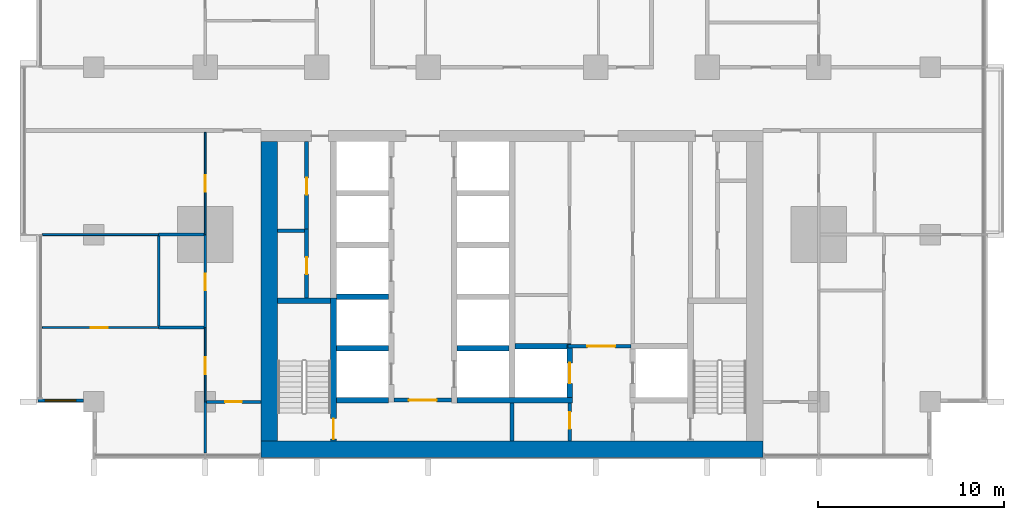
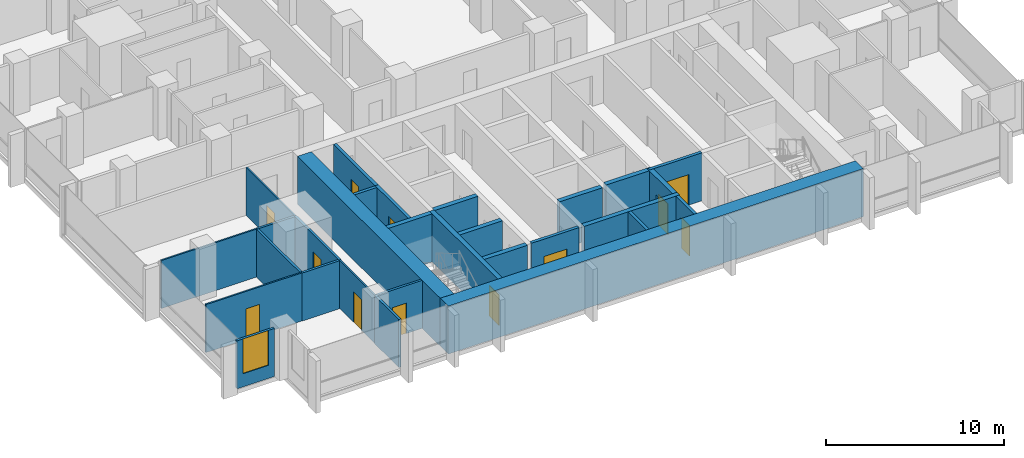
# One storey, part 7 of 18: 29 walls, 12 doors, 1 window, 13 openings.
"""IFC4 building model written with IfcOpenShell, lengths in metres."""

import ifcopenshell
import ifcopenshell.guid

model = None  # the IFC model being written
_history = None  # IfcOwnerHistory: only IFC2X3 demands one
_inside = {}  # id of a spatial element -> (the spatial element, [elements in it])
_under = {}  # id of a project, library or spatial element -> (it, [spatial elements below it])
_declared = {}  # id of a project -> (the project, [libraries it declares])
_typed = {}  # id of a type object -> (the type object, [elements of that type])
_made_of = {}  # id of a material, layer set ... -> (it, [elements and type objects made of it])


def new_model(schema):
    """Start an empty IFC model of exactly this schema.

    Asked for "IFC4X3", IfcOpenShell would pick the latest addendum, in which some entities
    have other attributes; the version numbers below select the first issue.
    IFC2X3 requires an IfcOwnerHistory on every rooted entity: one is made here for all.
    """
    global model, _history
    if schema == "IFC4X3":
        model = ifcopenshell.file(schema_version=(4, 3, 0, 0))
    else:
        model = ifcopenshell.file(schema=schema)
    _inside.clear()
    _under.clear()
    _declared.clear()
    _typed.clear()
    _made_of.clear()
    _history = None
    if model.schema == "IFC2X3":
        org = make("IfcOrganization", Name="unknown")
        user = make(
            "IfcPersonAndOrganization",
            ThePerson=make("IfcPerson", FamilyName="unknown"),
            TheOrganization=org,
        )
        app = make(
            "IfcApplication",
            ApplicationDeveloper=org,
            Version="unknown",
            ApplicationFullName="unknown",
            ApplicationIdentifier="unknown",
        )
        _history = make(
            "IfcOwnerHistory",
            OwningUser=user,
            OwningApplication=app,
            ChangeAction="ADDED",
            CreationDate=0,
        )
    return model


def make(cls, **values):
    """One entity of the class cls with the attributes given. An attribute that is None is left unset."""
    return model.create_entity(
        cls, **{name: value for name, value in values.items() if value is not None}
    )


def rooted(cls, **values):
    """An entity with a GlobalId (a new one), such as an element, a storey or a relation."""
    return make(cls, GlobalId=ifcopenshell.guid.new(), OwnerHistory=_history, **values)


def si_unit(unit_type, name, prefix=None):
    """IfcSIUnit, for example si_unit("LENGTHUNIT", "METRE", prefix="MILLI")."""
    return make("IfcSIUnit", UnitType=unit_type, Prefix=prefix, Name=name)


def assignment(units):
    """IfcUnitAssignment: the units of a project."""
    return None if units is None else make("IfcUnitAssignment", Units=units)


def point(xyz):
    """IfcCartesianPoint."""
    return None if xyz is None else make("IfcCartesianPoint", Coordinates=xyz)


def direction(xyz):
    """IfcDirection."""
    return None if xyz is None else make("IfcDirection", DirectionRatios=xyz)


def frame(location, z_axis=None, x_axis=None):
    """IfcAxis2Placement3D, a coordinate frame: its origin and axes. An axis left out is left unset."""
    return make(
        "IfcAxis2Placement3D",
        Location=point(location),
        Axis=direction(z_axis),
        RefDirection=direction(x_axis),
    )


def frame_2d(location, x_axis=None):
    """IfcAxis2Placement2D, a coordinate frame in the plane: its origin and x axis."""
    return make(
        "IfcAxis2Placement2D", Location=point(location), RefDirection=direction(x_axis)
    )


def origin():
    """The frame at (0, 0, 0) with its axes left unset."""
    return frame((0.0, 0.0, 0.0))


def place(relative_to, where):
    """IfcLocalPlacement: puts the frame where relative to a parent placement (None: the world)."""
    return make(
        "IfcLocalPlacement", PlacementRelTo=relative_to, RelativePlacement=where
    )


def context(
    kind, dimensions, precision=None, world=None, true_north=None, identifier=None
):
    """IfcGeometricRepresentationContext, for example the 3D "Model" context."""
    return make(
        "IfcGeometricRepresentationContext",
        ContextIdentifier=identifier,
        ContextType=kind,
        CoordinateSpaceDimension=dimensions,
        Precision=precision,
        WorldCoordinateSystem=world,
        TrueNorth=true_north,
    )


def subcontext(parent, identifier, kind, view, scale=None):
    """IfcGeometricRepresentationSubContext, for example "Body" below "Model"."""
    return make(
        "IfcGeometricRepresentationSubContext",
        ContextIdentifier=identifier,
        ContextType=kind,
        ParentContext=parent,
        TargetScale=scale,
        TargetView=view,
    )


def project(units=None, contexts=None):
    """IfcProject with its units and contexts."""
    return rooted(
        "IfcProject",
        Name="project",
        RepresentationContexts=contexts,
        UnitsInContext=assignment(units),
    )


def spatial(cls, under=None, at=None, **own):
    """A site, building, storey or space (cls), placed at a placement, below another one or the project."""
    s = rooted(cls, ObjectPlacement=at, **own)
    if under is not None:
        _under.setdefault(under.id(), (under, []))[1].append(s)
    return s


def profile(cls, at=None, kind="AREA", **sizes):
    """A parametric profile (cls). Its sizes go by their IFC names, for example OverallWidth=200.0."""
    return make(cls, ProfileType=kind, Position=at, **sizes)


def rectangle(**sizes):
    """IfcRectangleProfileDef."""
    return profile("IfcRectangleProfileDef", **sizes)


def extrude(swept, where, along, depth):
    """IfcExtrudedAreaSolid: the profile swept, set in the frame where, extruded along a direction by depth."""
    return make(
        "IfcExtrudedAreaSolid",
        SweptArea=swept,
        Position=where,
        ExtrudedDirection=direction(along),
        Depth=depth,
    )


def shape(context_of_items, identifier, shape_type, items):
    """IfcShapeRepresentation: the items that make up one representation, for example the "Body"."""
    return make(
        "IfcShapeRepresentation",
        ContextOfItems=context_of_items,
        RepresentationIdentifier=identifier,
        RepresentationType=shape_type,
        Items=items,
    )


def material(Name=None, Category=None):
    """IfcMaterial."""
    return make("IfcMaterial", Name=Name, Category=Category)


def layer(
    of_material, thickness, ventilated=None, Name=None, Category=None, Priority=None
):
    """IfcMaterialLayer: one layer of a wall or slab, of a material (None: an air gap)."""
    return make(
        "IfcMaterialLayer",
        Material=of_material,
        LayerThickness=thickness,
        IsVentilated=ventilated,
        Name=Name,
        Category=Category,
        Priority=Priority,
    )


def layer_set(layers, Name=None):
    """IfcMaterialLayerSet."""
    return make("IfcMaterialLayerSet", MaterialLayers=layers, LayerSetName=Name)


def made_of(thing, what):
    """Note that an element or type object is made of a material, layer set ...; save() writes the relation."""
    if what is not None:
        _made_of.setdefault(what.id(), (what, []))[1].append(thing)
    return thing


def type_object(cls, material=None, **own):
    """A type object (cls), such as IfcWallType, which elements share."""
    return made_of(rooted(cls, **own), material)


def element(
    cls,
    number,
    at=None,
    inside=None,
    cuts=None,
    type_object=None,
    material=None,
    context=None,
    identifier="Body",
    shape_type=None,
    held_by="IfcProductDefinitionShape",
    body=None,
    shapes=None,
    **own,
):
    """One element of the class cls, such as IfcWall. Its Tag is "e" and its number.

    at: its placement. inside: the storey or other place that contains it. cuts: it is an
    opening in that element (IfcRelVoidsElement). A single representation is given by context,
    identifier, shape_type and body (its items); several are given by shapes. held_by: the class
    of the entity that holds the representations. save() writes the other relations.
    """
    e = rooted(cls, Tag="e%d" % number, ObjectPlacement=at, **own)
    if body is not None:
        shapes = [shape(context, identifier, shape_type, body)]
    if shapes is not None:
        e.Representation = make(held_by, Representations=shapes)
    if inside is not None:
        _inside.setdefault(inside.id(), (inside, []))[1].append(e)
    if cuts is not None:
        rooted(
            "IfcRelVoidsElement", RelatingBuildingElement=cuts, RelatedOpeningElement=e
        )
    if type_object is not None:
        _typed.setdefault(type_object.id(), (type_object, []))[1].append(e)
    return made_of(e, material)


def fill(opening, filler):
    """IfcRelFillsElement: the door or window that sits in an opening."""
    return rooted(
        "IfcRelFillsElement",
        RelatingOpeningElement=opening,
        RelatedBuildingElement=filler,
    )


def aggregate(whole, parts):
    """IfcRelAggregates: a whole, such as a stair, and the parts it consists of."""
    return rooted("IfcRelAggregates", RelatingObject=whole, RelatedObjects=parts)


def save(model, path):
    """Write the relations noted so far, then the file.

    IfcRelAggregates (storeys below a building ...), IfcRelContainedInSpatialStructure (elements
    in a storey), IfcRelDefinesByType, IfcRelAssociatesMaterial and IfcRelDeclares: one each for
    every whole, place, type object, material and project.
    """
    for whole, parts in _under.values():
        aggregate(whole, parts)
    for where, things in _inside.values():
        rooted(
            "IfcRelContainedInSpatialStructure",
            RelatedElements=things,
            RelatingStructure=where,
        )
    for kind, things in _typed.values():
        rooted("IfcRelDefinesByType", RelatedObjects=things, RelatingType=kind)
    for what, things in _made_of.values():
        rooted("IfcRelAssociatesMaterial", RelatedObjects=things, RelatingMaterial=what)
    for by, libraries in _declared.values():
        rooted("IfcRelDeclares", RelatingContext=by, RelatedDefinitions=libraries)
    model.write(path)


model = new_model("IFC4")

# Units and contexts
model_context = context("Model", 3, precision=1e-05, world=origin(), true_north=direction((0.0, 1.0)))
body_context = subcontext(model_context, "Body", "Model", "MODEL_VIEW")
ifc_project = project(units=[si_unit("LENGTHUNIT", "METRE"), si_unit("AREAUNIT", "SQUARE_METRE"), si_unit("VOLUMEUNIT", "CUBIC_METRE"), si_unit("PLANEANGLEUNIT", "RADIAN"), si_unit("MASSUNIT", "GRAM", prefix="KILO")], contexts=[model_context])

# Site, building, storey
site_placement = place(None, origin())
site = spatial("IfcSite", under=ifc_project, at=site_placement, CompositionType="ELEMENT")
building_placement = place(site_placement, origin())
building = spatial("IfcBuilding", under=site, at=building_placement, Name="Finial Court Residences", CompositionType="ELEMENT")
storey_placement = place(building_placement, frame((0.0, 0.0, 39.699951171875)))
storey = spatial("IfcBuildingStorey", under=building, at=storey_placement, Name="L08", CompositionType="ELEMENT", Elevation=39.699951171875)

# Walls
ifc_material_1 = material(Name="Concrete C80/95", Category="concrete")
ifc_layer_1 = layer(ifc_material_1, 0.89990234375)
ifc_layer_set_1 = layer_set([ifc_layer_1], Name="Core outer wall 900 Concrete C80/95")
wall_type_1 = type_object("IfcWallType", Name="Core outer wall 900 Concrete C80/95", PredefinedType="SHEAR", material=ifc_layer_set_1)
wall_1_placement = place(storey_placement, frame((-13.050048828125, -24.60009765625, 0.0), z_axis=(0.0, 0.0, 1.0), x_axis=(0.0, 1.0, 0.0)))
element("IfcWall", 1, at=wall_1_placement, inside=storey, type_object=wall_type_1, Name="Core outer wall L08-03", PredefinedType="SHEAR", context=body_context, shape_type="SweptSolid", body=[
    extrude(rectangle(XDim=16.10009765625, YDim=0.89990234375, at=frame_2d((8.050048828125, 0.0))), origin(), (0.0, 0.0, 1.0), 3.300048828125),
])
ifc_layer_2 = layer(ifc_material_1, 0.89990234375)
ifc_layer_set_2 = layer_set([ifc_layer_2], Name="Core south facade wall 900 Concrete C80/95")
wall_type_2 = type_object("IfcWallType", Name="Core south facade wall 900 Concrete C80/95", PredefinedType="SHEAR", material=ifc_layer_set_2)
wall_2_placement = place(storey_placement, frame((-13.5, -25.050048828125, 0.0), z_axis=(0.0, 0.0, 1.0), x_axis=(1.0, 0.0, 0.0)))
element("IfcWall", 2, at=wall_2_placement, inside=storey, type_object=wall_type_2, Name="Core outer wall L08-01", PredefinedType="SHEAR", context=body_context, shape_type="SweptSolid", body=[
    extrude(rectangle(XDim=27.0, YDim=0.89990234375, at=frame_2d((13.5, 0.0))), origin(), (0.0, 0.0, 1.0), 3.300048828125),
])

# Wall, opening, door
ifc_material_2 = material(Name="Fire-rated gypsum board partition")
ifc_layer_3 = layer(ifc_material_2, 0.199951171875)
ifc_layer_set_3 = layer_set([ifc_layer_3], Name="Firefighting lobby wall 200 EI 120")
wall_type_3 = type_object("IfcWallType", Name="Firefighting lobby wall 200 EI 120", PredefinedType="PARTITIONING", material=ifc_layer_set_3)
wall_3_placement = place(storey_placement, frame((6.39990234375, -19.5, 0.0), z_axis=(0.0, 0.0, 1.0), x_axis=(-1.0, 0.0, 0.0)))
wall_3 = element("IfcWall", 3, at=wall_3_placement, inside=storey, type_object=wall_type_3, Name="Core partition L08-08", PredefinedType="PARTITIONING", context=body_context, shape_type="SweptSolid", body=[
    extrude(rectangle(XDim=3.375, YDim=0.199951171875, at=frame_2d((1.6875, 0.0))), origin(), (0.0, 0.0, 1.0), 3.300048828125),
])
opening_1_placement = place(wall_3_placement, frame((0.85009765625, 0.0, 0.0)))
opening_1 = element("IfcOpeningElement", 4, at=opening_1_placement, cuts=wall_3, Name="Opening L08-C02", PredefinedType="OPENING", context=body_context, shape_type="SweptSolid", body=[
    extrude(rectangle(XDim=1.5, YDim=2.10009765625, at=frame_2d((0.75, 1.050048828125))), frame((0.0, 0.10986328125, 0.0), z_axis=(0.0, -1.0, 0.0), x_axis=(1.0, 0.0, 0.0)), (0.0, 0.0, 1.0), 0.219970703125),
])
ifc_material_3 = material(Name="Steel fire door", Category="steel")
door_type_1 = type_object("IfcDoorType", Name="Firefighting lobby door 1500 x 2100 EI 90", OperationType="DOUBLE_DOOR_SINGLE_SWING", PredefinedType="DOOR", material=ifc_material_3)
door_1_placement = place(opening_1_placement, origin())
door_1 = element("IfcDoor", 5, at=door_1_placement, inside=storey, type_object=door_type_1, Name="Firefighting lobby door L08-C02", OperationType="DOUBLE_DOOR_SINGLE_SWING", OverallHeight=2.10009765625, OverallWidth=1.5, PredefinedType="DOOR", context=body_context, shape_type="SweptSolid", body=[
    extrude(rectangle(XDim=1.5, YDim=2.10009765625, at=frame_2d((0.75, 1.050048828125))), frame((0.0, 0.02490234375, 0.0), z_axis=(0.0, -1.0, 0.0), x_axis=(1.0, 0.0, 0.0)), (0.0, 0.0, 1.0), 0.050048828125),
])
fill(opening_1, door_1)

wall_4_placement = place(storey_placement, frame((3.10009765625, -24.60009765625, 0.0), z_axis=(0.0, 0.0, 1.0), x_axis=(0.0, 1.0, 0.0)))
wall_4 = element("IfcWall", 6, at=wall_4_placement, inside=storey, type_object=wall_type_3, Name="Core partition L08-29", PredefinedType="PARTITIONING", context=body_context, shape_type="SweptSolid", body=[
    extrude(rectangle(XDim=2.050048828125, YDim=0.199951171875, at=frame_2d((1.02490234375, 0.0))), origin(), (0.0, 0.0, 1.0), 3.300048828125),
])
opening_2_placement = place(wall_4_placement, frame((0.64990234375, 0.0, 0.0)))
opening_2 = element("IfcOpeningElement", 7, at=opening_2_placement, cuts=wall_4, Name="Opening L08-C06", PredefinedType="OPENING", context=body_context, shape_type="SweptSolid", body=[
    extrude(rectangle(XDim=0.89990234375, YDim=2.10009765625, at=frame_2d((0.449951171875, 1.050048828125))), frame((0.0, 0.10986328125, 0.0), z_axis=(0.0, -1.0, 0.0), x_axis=(1.0, 0.0, 0.0)), (0.0, 0.0, 1.0), 0.219970703125),
])
door_type_2 = type_object("IfcDoorType", Name="Riser room door 900 x 2100 EI 90", OperationType="NOTDEFINED", PredefinedType="DOOR", material=ifc_material_3)
door_2_placement = place(opening_2_placement, origin())
door_2 = element("IfcDoor", 8, at=door_2_placement, inside=storey, type_object=door_type_2, Name="Riser room door L08-C06", OperationType="SINGLE_SWING_LEFT", OverallHeight=2.10009765625, OverallWidth=0.89990234375, PredefinedType="DOOR", context=body_context, shape_type="SweptSolid", body=[
    extrude(rectangle(XDim=0.89990234375, YDim=2.10009765625, at=frame_2d((0.449951171875, 1.050048828125))), frame((0.0, 0.02490234375, 0.0), z_axis=(0.0, -1.0, 0.0), x_axis=(1.0, 0.0, 0.0)), (0.0, 0.0, 1.0), 0.050048828125),
])
fill(opening_2, door_2)

ifc_material_4 = material(Name="Gypsum board")
ifc_layer_4 = layer(ifc_material_4, 0.012451171875)
ifc_material_5 = material(Name="Mineral wool in light-gauge frame")
ifc_layer_5 = layer(ifc_material_5, 0.074951171875)
ifc_layer_6 = layer(ifc_material_4, 0.012451171875)
ifc_layer_set_4 = layer_set([ifc_layer_4, ifc_layer_5, ifc_layer_6], Name="Gypsum board partition 100")
wall_type_4 = type_object("IfcWallType", Name="Gypsum board partition 100", PredefinedType="PARTITIONING", material=ifc_layer_set_4)
wall_5_placement = place(storey_placement, frame((-25.25, -18.5, 0.0), z_axis=(0.0, 0.0, 1.0), x_axis=(1.0, 0.0, 0.0)))
wall_5 = element("IfcWall", 9, at=wall_5_placement, inside=storey, type_object=wall_type_4, Name="Partition L08-002", PredefinedType="PARTITIONING", context=body_context, shape_type="SweptSolid", body=[
    extrude(rectangle(XDim=6.25, YDim=0.10009765625, at=frame_2d((3.125, 0.0))), origin(), (0.0, 0.0, 1.0), 3.300048828125),
])
opening_3_placement = place(wall_5_placement, frame((2.60009765625, 0.0, 0.0)))
opening_3 = element("IfcOpeningElement", 10, at=opening_3_placement, cuts=wall_5, Name="Opening L08-D003", PredefinedType="OPENING", context=body_context, shape_type="SweptSolid", body=[
    extrude(rectangle(XDim=0.89990234375, YDim=2.10009765625, at=frame_2d((0.449951171875, 1.050048828125))), frame((0.0, 0.06005859375, 0.0), z_axis=(0.0, -1.0, 0.0), x_axis=(1.0, 0.0, 0.0)), (0.0, 0.0, 1.0), 0.1201171875),
])
ifc_material_6 = material(Name="Timber door leaf in timber frame", Category="wood")
door_type_3 = type_object("IfcDoorType", Name="Door set 900 x 2100", OperationType="SINGLE_SWING_LEFT", PredefinedType="DOOR", material=ifc_material_6)
door_3_placement = place(opening_3_placement, origin())
door_3 = element("IfcDoor", 11, at=door_3_placement, inside=storey, type_object=door_type_3, Name="Door L08-D003", OperationType="SINGLE_SWING_LEFT", OverallHeight=2.10009765625, OverallWidth=0.89990234375, PredefinedType="DOOR", context=body_context, shape_type="SweptSolid", body=[
    extrude(rectangle(XDim=0.89990234375, YDim=2.10009765625, at=frame_2d((0.449951171875, 1.050048828125))), frame((0.0, 0.02490234375, 0.0), z_axis=(0.0, -1.0, 0.0), x_axis=(1.0, 0.0, 0.0)), (0.0, 0.0, 1.0), 0.050048828125),
])
fill(opening_3, door_3)

# Wall
wall_6_placement = place(storey_placement, frame((-25.25, -13.5, 0.0), z_axis=(0.0, 0.0, 1.0), x_axis=(1.0, 0.0, 0.0)))
element("IfcWall", 12, at=wall_6_placement, inside=storey, type_object=wall_type_4, Name="Partition L08-005", PredefinedType="PARTITIONING", context=body_context, shape_type="SweptSolid", body=[
    extrude(rectangle(XDim=6.25, YDim=0.10009765625, at=frame_2d((3.125, 0.0))), origin(), (0.0, 0.0, 1.0), 3.300048828125),
])

# Wall, opening, door
wall_7_placement = place(storey_placement, frame((-16.5, -22.5, 0.0), z_axis=(0.0, 0.0, 1.0), x_axis=(0.0, 1.0, 0.0)))
wall_7 = element("IfcWall", 13, at=wall_7_placement, inside=storey, type_object=wall_type_4, Name="Partition L08-052", PredefinedType="PARTITIONING", context=body_context, shape_type="SweptSolid", body=[
    extrude(rectangle(XDim=4.0, YDim=0.10009765625, at=frame_2d((2.0, 0.0))), origin(), (0.0, 0.0, 1.0), 3.300048828125),
])
opening_4_placement = place(wall_7_placement, frame((1.5, 0.0, 0.0)))
opening_4 = element("IfcOpeningElement", 14, at=opening_4_placement, cuts=wall_7, Name="Opening L08-D037", PredefinedType="OPENING", context=body_context, shape_type="SweptSolid", body=[
    extrude(rectangle(XDim=0.89990234375, YDim=2.10009765625, at=frame_2d((0.449951171875, 1.050048828125))), frame((0.0, 0.06005859375, 0.0), z_axis=(0.0, -1.0, 0.0), x_axis=(1.0, 0.0, 0.0)), (0.0, 0.0, 1.0), 0.1201171875),
])
door_4_placement = place(opening_4_placement, origin())
door_4 = element("IfcDoor", 15, at=door_4_placement, inside=storey, type_object=door_type_3, Name="Door L08-D037", OperationType="SINGLE_SWING_RIGHT", OverallHeight=2.10009765625, OverallWidth=0.89990234375, PredefinedType="DOOR", context=body_context, shape_type="SweptSolid", body=[
    extrude(rectangle(XDim=0.89990234375, YDim=2.10009765625, at=frame_2d((0.449951171875, 1.050048828125))), frame((0.0, 0.02490234375, 0.0), z_axis=(0.0, -1.0, 0.0), x_axis=(1.0, 0.0, 0.0)), (0.0, 0.0, 1.0), 0.050048828125),
])
fill(opening_4, door_4)

wall_8_placement = place(storey_placement, frame((-16.5, -13.5, 0.0), z_axis=(0.0, 0.0, 1.0), x_axis=(0.0, 1.0, 0.0)))
wall_8 = element("IfcWall", 16, at=wall_8_placement, inside=storey, type_object=wall_type_4, Name="Partition L08-053", PredefinedType="PARTITIONING", context=body_context, shape_type="SweptSolid", body=[
    extrude(rectangle(XDim=5.5, YDim=0.10009765625, at=frame_2d((2.75, 0.0))), origin(), (0.0, 0.0, 1.0), 3.300048828125),
])
opening_5_placement = place(wall_8_placement, frame((2.300048828125, 0.0, 0.0)))
opening_5 = element("IfcOpeningElement", 17, at=opening_5_placement, cuts=wall_8, Name="Opening L08-D038", PredefinedType="OPENING", context=body_context, shape_type="SweptSolid", body=[
    extrude(rectangle(XDim=0.89990234375, YDim=2.10009765625, at=frame_2d((0.449951171875, 1.050048828125))), frame((0.0, 0.06005859375, 0.0), z_axis=(0.0, -1.0, 0.0), x_axis=(1.0, 0.0, 0.0)), (0.0, 0.0, 1.0), 0.1201171875),
])
door_5_placement = place(opening_5_placement, origin())
door_5 = element("IfcDoor", 18, at=door_5_placement, inside=storey, type_object=door_type_3, Name="Door L08-D038", OperationType="SINGLE_SWING_LEFT", OverallHeight=2.10009765625, OverallWidth=0.89990234375, PredefinedType="DOOR", context=body_context, shape_type="SweptSolid", body=[
    extrude(rectangle(XDim=0.89990234375, YDim=2.10009765625, at=frame_2d((0.449951171875, 1.050048828125))), frame((0.0, 0.02490234375, 0.0), z_axis=(0.0, -1.0, 0.0), x_axis=(1.0, 0.0, 0.0)), (0.0, 0.0, 1.0), 0.050048828125),
])
fill(opening_5, door_5)

ifc_material_7 = material(Name="Moisture-resistant gypsum board")
ifc_layer_7 = layer(ifc_material_7, 0.012451171875)
ifc_layer_8 = layer(ifc_material_5, 0.125)
ifc_layer_9 = layer(ifc_material_7, 0.012451171875)
ifc_layer_set_5 = layer_set([ifc_layer_7, ifc_layer_8, ifc_layer_9], Name="Gypsum board wet-area partition 150")
wall_type_5 = type_object("IfcWallType", Name="Gypsum board wet-area partition 150", PredefinedType="PARTITIONING", material=ifc_layer_set_5)
wall_9_placement = place(storey_placement, frame((-16.425048828125, -22.5, 0.0), z_axis=(0.0, 0.0, 1.0), x_axis=(1.0, 0.0, 0.0)))
wall_9 = element("IfcWall", 19, at=wall_9_placement, inside=storey, type_object=wall_type_5, Name="Partition L08-000", PredefinedType="PARTITIONING", context=body_context, shape_type="SweptSolid", body=[
    extrude(rectangle(XDim=2.925048828125, YDim=0.14990234375, at=frame_2d((1.46240234375, 0.0))), origin(), (0.0, 0.0, 1.0), 3.300048828125),
])
opening_6_placement = place(wall_9_placement, frame((1.0, 0.0, 0.0)))
opening_6 = element("IfcOpeningElement", 20, at=opening_6_placement, cuts=wall_9, Name="Opening L08-D001", PredefinedType="OPENING", context=body_context, shape_type="SweptSolid", body=[
    extrude(rectangle(XDim=0.89990234375, YDim=2.10009765625, at=frame_2d((0.449951171875, 1.050048828125))), frame((0.0, 0.0849609375, 0.0), z_axis=(0.0, -1.0, 0.0), x_axis=(1.0, 0.0, 0.0)), (0.0, 0.0, 1.0), 0.169921875),
])
door_6_placement = place(opening_6_placement, origin())
door_6 = element("IfcDoor", 21, at=door_6_placement, inside=storey, type_object=door_type_3, Name="Door L08-D001", OperationType="SINGLE_SWING_LEFT", OverallHeight=2.10009765625, OverallWidth=0.89990234375, PredefinedType="DOOR", context=body_context, shape_type="SweptSolid", body=[
    extrude(rectangle(XDim=0.89990234375, YDim=2.10009765625, at=frame_2d((0.449951171875, 1.050048828125))), frame((0.0, 0.02490234375, 0.0), z_axis=(0.0, -1.0, 0.0), x_axis=(1.0, 0.0, 0.0)), (0.0, 0.0, 1.0), 0.050048828125),
])
fill(opening_6, door_6)

# Walls
for number, where, z_axis, x_axis, name in (
    (22, (-19.0, -18.5, 0.0), (0.0, 0.0, 1.0), (1.0, 0.0, 0.0), "Partition L08-003"),
    (23, (-19.0, -13.5, 0.0), (0.0, 0.0, 1.0), (1.0, 0.0, 0.0), "Partition L08-007"),
):
    element("IfcWall", number, at=place(storey_placement, frame(where, z_axis=z_axis, x_axis=x_axis)), inside=storey, type_object=wall_type_5, Name=name, PredefinedType="PARTITIONING", context=body_context, shape_type="SweptSolid", body=[
        extrude(rectangle(XDim=2.425048828125, YDim=0.14990234375, at=frame_2d((1.21240234375, 0.0))), origin(), (0.0, 0.0, 1.0), 3.300048828125),
    ])
wall_10_placement = place(storey_placement, frame((-19.0, -18.425048828125, 0.0), z_axis=(0.0, 0.0, 1.0), x_axis=(0.0, 1.0, 0.0)))
element("IfcWall", 24, at=wall_10_placement, inside=storey, type_object=wall_type_5, Name="Partition L08-050", PredefinedType="PARTITIONING", context=body_context, shape_type="SweptSolid", body=[
    extrude(rectangle(XDim=4.85009765625, YDim=0.14990234375, at=frame_2d((2.425048828125, 0.0))), origin(), (0.0, 0.0, 1.0), 3.300048828125),
])
wall_11_placement = place(storey_placement, frame((-16.5, -25.25, 0.0), z_axis=(0.0, 0.0, 1.0), x_axis=(0.0, 1.0, 0.0)))
element("IfcWall", 25, at=wall_11_placement, inside=storey, type_object=wall_type_5, Name="Partition L08-056", PredefinedType="PARTITIONING", context=body_context, shape_type="SweptSolid", body=[
    extrude(rectangle(XDim=2.75, YDim=0.14990234375, at=frame_2d((1.375, 0.0))), origin(), (0.0, 0.0, 1.0), 3.300048828125),
])

# Wall, opening, door
wall_12_placement = place(storey_placement, frame((-16.5, -18.5, 0.0), z_axis=(0.0, 0.0, 1.0), x_axis=(0.0, 1.0, 0.0)))
wall_12 = element("IfcWall", 26, at=wall_12_placement, inside=storey, type_object=wall_type_5, Name="Partition L08-057", PredefinedType="PARTITIONING", context=body_context, shape_type="SweptSolid", body=[
    extrude(rectangle(XDim=5.0, YDim=0.14990234375, at=frame_2d((2.5, 0.0))), origin(), (0.0, 0.0, 1.0), 3.300048828125),
])
opening_7_placement = place(wall_12_placement, frame((2.0, 0.0, 0.0)))
opening_7 = element("IfcOpeningElement", 27, at=opening_7_placement, cuts=wall_12, Name="Opening L08-D040", PredefinedType="OPENING", context=body_context, shape_type="SweptSolid", body=[
    extrude(rectangle(XDim=0.89990234375, YDim=2.10009765625, at=frame_2d((0.449951171875, 1.050048828125))), frame((0.0, 0.0849609375, 0.0), z_axis=(0.0, -1.0, 0.0), x_axis=(1.0, 0.0, 0.0)), (0.0, 0.0, 1.0), 0.169921875),
])
door_7_placement = place(opening_7_placement, origin())
door_7 = element("IfcDoor", 28, at=door_7_placement, inside=storey, type_object=door_type_3, Name="Door L08-D040", OperationType="SINGLE_SWING_LEFT", OverallHeight=2.10009765625, OverallWidth=0.89990234375, PredefinedType="DOOR", context=body_context, shape_type="SweptSolid", body=[
    extrude(rectangle(XDim=0.89990234375, YDim=2.10009765625, at=frame_2d((0.449951171875, 1.050048828125))), frame((0.0, 0.02490234375, 0.0), z_axis=(0.0, -1.0, 0.0), x_axis=(1.0, 0.0, 0.0)), (0.0, 0.0, 1.0), 0.050048828125),
])
fill(opening_7, door_7)

# Walls
ifc_layer_10 = layer(ifc_material_1, 0.300048828125)
ifc_layer_set_6 = layer_set([ifc_layer_10], Name="Lift shaft and stair wall 300 Concrete C80/95")
wall_type_6 = type_object("IfcWallType", Name="Lift shaft and stair wall 300 Concrete C80/95", PredefinedType="SHEAR", material=ifc_layer_set_6)
wall_13_placement = place(storey_placement, frame((-9.449951171875, -22.39990234375, 0.0), z_axis=(0.0, 0.0, 1.0), x_axis=(1.0, 0.0, 0.0)))
element("IfcWall", 29, at=wall_13_placement, inside=storey, type_object=wall_type_6, Name="Core wall L08-01", PredefinedType="SHEAR", context=body_context, shape_type="SweptSolid", body=[
    extrude(rectangle(XDim=2.800048828125, YDim=0.300048828125, at=frame_2d((1.39990234375, 0.0))), origin(), (0.0, 0.0, 1.0), 3.300048828125),
])
wall_14_placement = place(storey_placement, frame((-2.949951171875, -22.39990234375, 0.0), z_axis=(0.0, 0.0, 1.0), x_axis=(1.0, 0.0, 0.0)))
element("IfcWall", 30, at=wall_14_placement, inside=storey, type_object=wall_type_6, Name="Core wall L08-03", PredefinedType="SHEAR", context=body_context, shape_type="SweptSolid", body=[
    extrude(rectangle(XDim=6.199951171875, YDim=0.300048828125, at=frame_2d((3.10009765625, 0.0))), origin(), (0.0, 0.0, 1.0), 3.300048828125),
])
for number, where, z_axis, x_axis, name in (
    (31, (-9.449951171875, -19.6201171875, 0.0), (0.0, 0.0, 1.0), (1.0, 0.0, 0.0), "Core wall L08-05"),
    (32, (-2.949951171875, -19.6201171875, 0.0), (0.0, 0.0, 1.0), (1.0, 0.0, 0.0), "Core wall L08-06"),
):
    element("IfcWall", number, at=place(storey_placement, frame(where, z_axis=z_axis, x_axis=x_axis)), inside=storey, type_object=wall_type_6, Name=name, PredefinedType="SHEAR", context=body_context, shape_type="SweptSolid", body=[
        extrude(rectangle(XDim=2.800048828125, YDim=0.300048828125, at=frame_2d((1.39990234375, 0.0))), origin(), (0.0, 0.0, 1.0), 3.300048828125),
    ])
wall_15_placement = place(storey_placement, frame((0.14990234375, -19.5, 0.0), z_axis=(0.0, 0.0, 1.0), x_axis=(1.0, 0.0, 0.0)))
element("IfcWall", 33, at=wall_15_placement, inside=storey, type_object=wall_type_6, Name="Core wall L08-07", PredefinedType="SHEAR", context=body_context, shape_type="SweptSolid", body=[
    extrude(rectangle(XDim=3.025146484375, YDim=0.300048828125, at=frame_2d((1.5126953125, 0.0))), origin(), (0.0, 0.0, 1.0), 3.300048828125),
])
wall_16_placement = place(storey_placement, frame((-12.60009765625, -17.050048828125, 0.0), z_axis=(0.0, 0.0, 1.0), x_axis=(1.0, 0.0, 0.0)))
element("IfcWall", 34, at=wall_16_placement, inside=storey, type_object=wall_type_6, Name="Core wall L08-10", PredefinedType="SHEAR", context=body_context, shape_type="SweptSolid", body=[
    extrude(rectangle(XDim=2.85009765625, YDim=0.300048828125, at=frame_2d((1.425048828125, 0.0))), origin(), (0.0, 0.0, 1.0), 3.300048828125),
])
wall_17_placement = place(storey_placement, frame((-9.449951171875, -16.840087890625, 0.0), z_axis=(0.0, 0.0, 1.0), x_axis=(1.0, 0.0, 0.0)))
element("IfcWall", 35, at=wall_17_placement, inside=storey, type_object=wall_type_6, Name="Core wall L08-12", PredefinedType="SHEAR", context=body_context, shape_type="SweptSolid", body=[
    extrude(rectangle(XDim=2.800048828125, YDim=0.300048828125, at=frame_2d((1.39990234375, 0.0))), origin(), (0.0, 0.0, 1.0), 3.300048828125),
])

# Wall, opening, door
wall_18_placement = place(storey_placement, frame((-9.60009765625, -24.60009765625, 0.0), z_axis=(0.0, 0.0, 1.0), x_axis=(0.0, 1.0, 0.0)))
wall_18 = element("IfcWall", 36, at=wall_18_placement, inside=storey, type_object=wall_type_6, Name="Core wall L08-23", PredefinedType="SHEAR", context=body_context, shape_type="SweptSolid", body=[
    extrude(rectangle(XDim=7.7001953125, YDim=0.300048828125, at=frame_2d((3.85009765625, 0.0))), origin(), (0.0, 0.0, 1.0), 3.300048828125),
])
opening_8_placement = place(wall_18_placement, frame((0.10009765625, 0.0, 0.0)))
opening_8 = element("IfcOpeningElement", 37, at=opening_8_placement, cuts=wall_18, Name="Opening L08-C16", PredefinedType="OPENING", context=body_context, shape_type="SweptSolid", body=[
    extrude(rectangle(XDim=1.10009765625, YDim=2.10009765625, at=frame_2d((0.550048828125, 1.050048828125))), frame((0.0, 0.159912109375, 0.0), z_axis=(0.0, -1.0, 0.0), x_axis=(1.0, 0.0, 0.0)), (0.0, 0.0, 1.0), 0.320068359375),
])
door_type_4 = type_object("IfcDoorType", Name="Stair door 1100 x 2100 EI 90", OperationType="NOTDEFINED", PredefinedType="DOOR", material=ifc_material_3)
door_8_placement = place(opening_8_placement, origin())
door_8 = element("IfcDoor", 38, at=door_8_placement, inside=storey, type_object=door_type_4, Name="Stair door L08-C16", OperationType="SINGLE_SWING_LEFT", OverallHeight=2.10009765625, OverallWidth=1.10009765625, PredefinedType="DOOR", context=body_context, shape_type="SweptSolid", body=[
    extrude(rectangle(XDim=1.10009765625, YDim=2.10009765625, at=frame_2d((0.550048828125, 1.050048828125))), frame((0.0, 0.02490234375, 0.0), z_axis=(0.0, -1.0, 0.0), x_axis=(1.0, 0.0, 0.0)), (0.0, 0.0, 1.0), 0.050048828125),
])
fill(opening_8, door_8)

wall_19_placement = place(storey_placement, frame((3.10009765625, -22.25, 0.0), z_axis=(0.0, 0.0, 1.0), x_axis=(0.0, 1.0, 0.0)))
wall_19 = element("IfcWall", 39, at=wall_19_placement, inside=storey, type_object=wall_type_6, Name="Core wall L08-30", PredefinedType="SHEAR", context=body_context, shape_type="SweptSolid", body=[
    extrude(rectangle(XDim=2.85009765625, YDim=0.300048828125, at=frame_2d((1.425048828125, 0.0))), origin(), (0.0, 0.0, 1.0), 3.300048828125),
])
opening_9_placement = place(wall_19_placement, frame((0.75, 0.0, 0.0)))
opening_9 = element("IfcOpeningElement", 40, at=opening_9_placement, cuts=wall_19, Name="Opening L08-LD01", PredefinedType="OPENING", context=body_context, shape_type="SweptSolid", body=[
    extrude(rectangle(XDim=1.10009765625, YDim=2.10009765625, at=frame_2d((0.550048828125, 1.050048828125))), frame((0.0, 0.159912109375, 0.0), z_axis=(0.0, -1.0, 0.0), x_axis=(1.0, 0.0, 0.0)), (0.0, 0.0, 1.0), 0.320068359375),
])
ifc_material_8 = material(Name="Stainless steel lift door", Category="steel")
door_type_5 = type_object("IfcDoorType", Name="Lift landing door 1100 x 2100 EI 90", OperationType="DOUBLE_DOOR_SLIDING", PredefinedType="DOOR", material=ifc_material_8)
door_9_placement = place(opening_9_placement, origin())
door_9 = element("IfcDoor", 41, at=door_9_placement, inside=storey, type_object=door_type_5, Name="Lift landing door FF1 L08", OperationType="DOUBLE_DOOR_SLIDING", OverallHeight=2.10009765625, OverallWidth=1.10009765625, PredefinedType="DOOR", context=body_context, shape_type="SweptSolid", body=[
    extrude(rectangle(XDim=1.10009765625, YDim=2.10009765625, at=frame_2d((0.550048828125, 1.050048828125))), frame((0.0, 0.02490234375, 0.0), z_axis=(0.0, -1.0, 0.0), x_axis=(1.0, 0.0, 0.0)), (0.0, 0.0, 1.0), 0.050048828125),
])
fill(opening_9, door_9)

# Wall, opening, window
ifc_material_9 = material(Name="Natural limestone", Category="masonry")
ifc_layer_11 = layer(ifc_material_9, 0.14990234375)
ifc_layer_set_7 = layer_set([ifc_layer_11], Name="Limestone clad wall 150")
wall_type_7 = type_object("IfcWallType", Name="Limestone clad wall 150", PredefinedType="SOLIDWALL", material=ifc_layer_set_7)
wall_20_placement = place(storey_placement, frame((-23.050048828125, -22.425048828125, 0.0), z_axis=(0.0, 0.0, 1.0), x_axis=(-1.0, 0.0, 0.0)))
wall_20 = element("IfcWall", 42, at=wall_20_placement, inside=storey, type_object=wall_type_7, Name="E-L08-NWS15", PredefinedType="SOLIDWALL", context=body_context, shape_type="SweptSolid", body=[
    extrude(rectangle(XDim=2.449951171875, YDim=0.14990234375, at=frame_2d((1.22509765625, 0.0))), origin(), (0.0, 0.0, 1.0), 3.300048828125),
])
opening_10_placement = place(wall_20_placement, frame((0.39990234375, 0.0, 0.89990234375)))
opening_10 = element("IfcOpeningElement", 43, at=opening_10_placement, cuts=wall_20, Name="Opening WE08-02", PredefinedType="OPENING", context=body_context, shape_type="SweptSolid", body=[
    extrude(rectangle(XDim=1.64990234375, YDim=2.39990234375, at=frame_2d((0.824951171875, 1.199951171875))), frame((0.0, 0.0849609375, 0.0), z_axis=(0.0, -1.0, 0.0), x_axis=(1.0, 0.0, 0.0)), (0.0, 0.0, 1.0), 0.169921875),
])
ifc_material_10 = material(Name="Clear low-e glass", Category="glass")
window_type = type_object("IfcWindowType", Name="Corner window 1650 x 2400", PartitioningType="SINGLE_PANEL", PredefinedType="WINDOW", material=ifc_material_10)
window_placement = place(opening_10_placement, origin())
window = element("IfcWindow", 44, at=window_placement, inside=storey, type_object=window_type, Name="E-L08-NWS15-W1", OverallHeight=2.39990234375, OverallWidth=1.64990234375, PartitioningType="SINGLE_PANEL", PredefinedType="WINDOW", context=body_context, shape_type="SweptSolid", body=[
    extrude(rectangle(XDim=1.64990234375, YDim=2.39990234375, at=frame_2d((0.824951171875, 1.199951171875))), frame((0.0, 0.030029296875, 0.0), z_axis=(0.0, -1.0, 0.0), x_axis=(1.0, 0.0, 0.0)), (0.0, 0.0, 1.0), 0.06005859375),
])
fill(opening_10, window)

# Wall
ifc_layer_12 = layer(ifc_material_2, 0.199951171875)
ifc_layer_set_8 = layer_set([ifc_layer_12], Name="Riser room wall 200 EI 120")
wall_type_8 = type_object("IfcWallType", Name="Riser room wall 200 EI 120", PredefinedType="PARTITIONING", material=ifc_layer_set_8)
wall_21_placement = place(storey_placement, frame((-12.60009765625, -13.300048828125, 0.0), z_axis=(0.0, 0.0, 1.0), x_axis=(1.0, 0.0, 0.0)))
element("IfcWall", 45, at=wall_21_placement, inside=storey, type_object=wall_type_8, Name="Core partition L08-17", PredefinedType="PARTITIONING", context=body_context, shape_type="SweptSolid", body=[
    extrude(rectangle(XDim=1.4501953125, YDim=0.199951171875, at=frame_2d((0.72509765625, 0.0))), origin(), (0.0, 0.0, 1.0), 3.300048828125),
])

# Wall, opening, door
wall_22_placement = place(storey_placement, frame((-11.050048828125, -13.39990234375, 0.0), z_axis=(0.0, 0.0, 1.0), x_axis=(0.0, 1.0, 0.0)))
wall_22 = element("IfcWall", 46, at=wall_22_placement, inside=storey, type_object=wall_type_8, Name="Core partition L08-22", PredefinedType="PARTITIONING", context=body_context, shape_type="SweptSolid", body=[
    extrude(rectangle(XDim=4.89990234375, YDim=0.199951171875, at=frame_2d((2.449951171875, 0.0))), origin(), (0.0, 0.0, 1.0), 3.300048828125),
])
opening_11_placement = place(wall_22_placement, frame((2.050048828125, 0.0, 0.0)))
opening_11 = element("IfcOpeningElement", 47, at=opening_11_placement, cuts=wall_22, Name="Opening L08-C07", PredefinedType="OPENING", context=body_context, shape_type="SweptSolid", body=[
    extrude(rectangle(XDim=0.89990234375, YDim=2.10009765625, at=frame_2d((0.449951171875, 1.050048828125))), frame((0.0, 0.10986328125, 0.0), z_axis=(0.0, -1.0, 0.0), x_axis=(1.0, 0.0, 0.0)), (0.0, 0.0, 1.0), 0.219970703125),
])
door_10_placement = place(opening_11_placement, origin())
door_10 = element("IfcDoor", 48, at=door_10_placement, inside=storey, type_object=door_type_2, Name="Riser room door L08-C07", OperationType="SINGLE_SWING_LEFT", OverallHeight=2.10009765625, OverallWidth=0.89990234375, PredefinedType="DOOR", context=body_context, shape_type="SweptSolid", body=[
    extrude(rectangle(XDim=0.89990234375, YDim=2.10009765625, at=frame_2d((0.449951171875, 1.050048828125))), frame((0.0, 0.02490234375, 0.0), z_axis=(0.0, -1.0, 0.0), x_axis=(1.0, 0.0, 0.0)), (0.0, 0.0, 1.0), 0.050048828125),
])
fill(opening_11, door_10)

# Wall
wall_23_placement = place(storey_placement, frame((0.0, -24.60009765625, 0.0), z_axis=(0.0, 0.0, 1.0), x_axis=(0.0, 1.0, 0.0)))
element("IfcWall", 49, at=wall_23_placement, inside=storey, type_object=wall_type_8, Name="Core partition L08-27", PredefinedType="PARTITIONING", context=body_context, shape_type="SweptSolid", body=[
    extrude(rectangle(XDim=2.050048828125, YDim=0.199951171875, at=frame_2d((1.02490234375, 0.0))), origin(), (0.0, 0.0, 1.0), 3.300048828125),
])

# Wall, opening, door
ifc_layer_13 = layer(ifc_material_2, 0.199951171875)
ifc_layer_set_9 = layer_set([ifc_layer_13], Name="Stair passage wall 200 EI 180")
wall_type_9 = type_object("IfcWallType", Name="Stair passage wall 200 EI 180", PredefinedType="PARTITIONING", material=ifc_layer_set_9)
wall_24_placement = place(storey_placement, frame((-3.25, -22.39990234375, 0.0), z_axis=(0.0, 0.0, 1.0), x_axis=(-1.0, 0.0, 0.0)))
wall_24 = element("IfcWall", 50, at=wall_24_placement, inside=storey, type_object=wall_type_9, Name="Core partition L08-02", PredefinedType="PARTITIONING", context=body_context, shape_type="SweptSolid", body=[
    extrude(rectangle(XDim=3.10009765625, YDim=0.199951171875, at=frame_2d((1.550048828125, 0.0))), origin(), (0.0, 0.0, 1.0), 3.300048828125),
])
opening_12_placement = place(wall_24_placement, frame((0.800048828125, 0.0, 0.0)))
opening_12 = element("IfcOpeningElement", 51, at=opening_12_placement, cuts=wall_24, Name="Opening L08-C03", PredefinedType="OPENING", context=body_context, shape_type="SweptSolid", body=[
    extrude(rectangle(XDim=1.5, YDim=2.10009765625, at=frame_2d((0.75, 1.050048828125))), frame((0.0, 0.10986328125, 0.0), z_axis=(0.0, -1.0, 0.0), x_axis=(1.0, 0.0, 0.0)), (0.0, 0.0, 1.0), 0.219970703125),
])
door_type_6 = type_object("IfcDoorType", Name="Lift lobby door 1500 x 2100 EI 60", OperationType="DOUBLE_DOOR_SINGLE_SWING", PredefinedType="DOOR", material=ifc_material_3)
door_11_placement = place(opening_12_placement, origin())
door_11 = element("IfcDoor", 52, at=door_11_placement, inside=storey, type_object=door_type_6, Name="Lift lobby door L08-C03", OperationType="DOUBLE_DOOR_SINGLE_SWING", OverallHeight=2.10009765625, OverallWidth=1.5, PredefinedType="DOOR", context=body_context, shape_type="SweptSolid", body=[
    extrude(rectangle(XDim=1.5, YDim=2.10009765625, at=frame_2d((0.75, 1.050048828125))), frame((0.0, 0.02490234375, 0.0), z_axis=(0.0, -1.0, 0.0), x_axis=(1.0, 0.0, 0.0)), (0.0, 0.0, 1.0), 0.050048828125),
])
fill(opening_12, door_11)

wall_25_placement = place(storey_placement, frame((-11.050048828125, -16.89990234375, 0.0), z_axis=(0.0, 0.0, 1.0), x_axis=(0.0, 1.0, 0.0)))
wall_25 = element("IfcWall", 53, at=wall_25_placement, inside=storey, type_object=wall_type_9, Name="Core partition L08-21", PredefinedType="PARTITIONING", context=body_context, shape_type="SweptSolid", body=[
    extrude(rectangle(XDim=3.699951171875, YDim=0.199951171875, at=frame_2d((1.85009765625, 0.0))), origin(), (0.0, 0.0, 1.0), 3.300048828125),
])
opening_13_placement = place(wall_25_placement, frame((1.27490234375, 0.0, 0.0)))
opening_13 = element("IfcOpeningElement", 54, at=opening_13_placement, cuts=wall_25, Name="Opening L08-C12", PredefinedType="OPENING", context=body_context, shape_type="SweptSolid", body=[
    extrude(rectangle(XDim=0.89990234375, YDim=2.10009765625, at=frame_2d((0.449951171875, 1.050048828125))), frame((0.0, 0.10986328125, 0.0), z_axis=(0.0, -1.0, 0.0), x_axis=(1.0, 0.0, 0.0)), (0.0, 0.0, 1.0), 0.219970703125),
])
door_type_7 = type_object("IfcDoorType", Name="Core room door 900 x 2100 EI 60", OperationType="NOTDEFINED", PredefinedType="DOOR", material=ifc_material_3)
door_12_placement = place(opening_13_placement, origin())
door_12 = element("IfcDoor", 55, at=door_12_placement, inside=storey, type_object=door_type_7, Name="Core room door L08-C12", OperationType="SINGLE_SWING_LEFT", OverallHeight=2.10009765625, OverallWidth=0.89990234375, PredefinedType="DOOR", context=body_context, shape_type="SweptSolid", body=[
    extrude(rectangle(XDim=0.89990234375, YDim=2.10009765625, at=frame_2d((0.449951171875, 1.050048828125))), frame((0.0, 0.02490234375, 0.0), z_axis=(0.0, -1.0, 0.0), x_axis=(1.0, 0.0, 0.0)), (0.0, 0.0, 1.0), 0.050048828125),
])
fill(opening_13, door_12)

save(model, "model.ifc")
